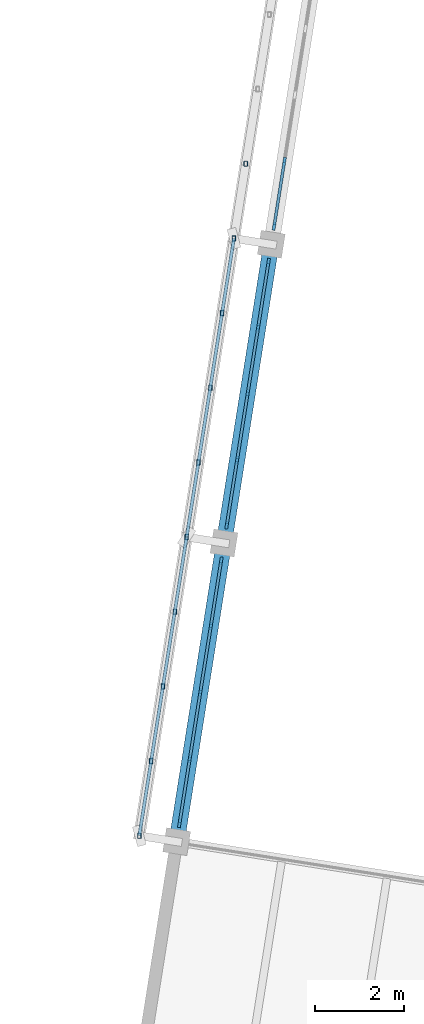
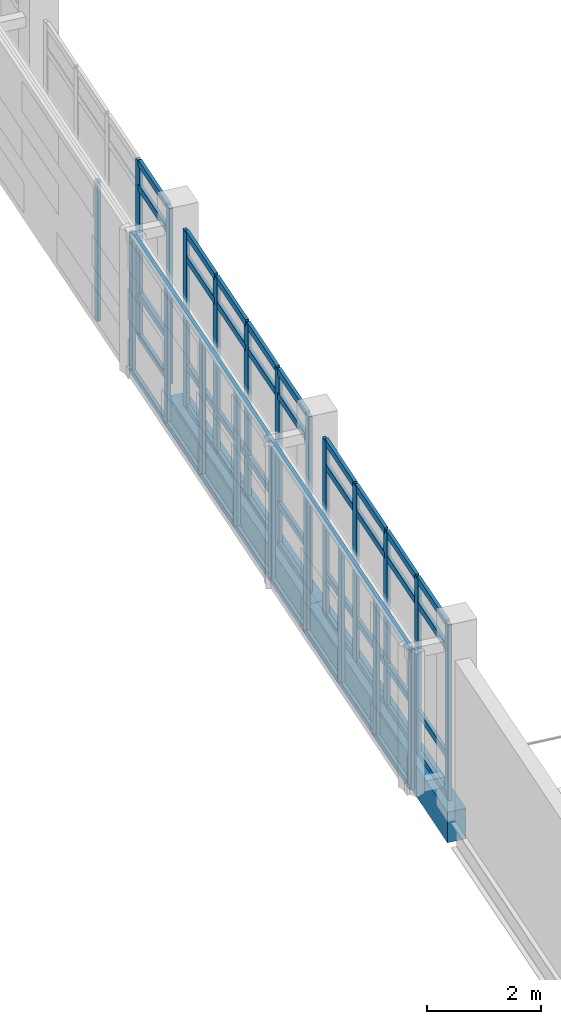
# One storey, part 38 of 137: 62 members, 2 beams, 3 elements without a shape of their own.
"""IFC4 building model written with IfcOpenShell, lengths in metres."""

from ifc_helpers import new_model, si_unit, direction, frame, origin, origin_2d, place, context, subcontext, project, spatial, rectangle, hollow_rectangle, extrude, material, material_profile, profile_set, type_object, element, aggregate, save


model = new_model("IFC4")

# Units and contexts
model_context = context("Model", 3, precision=1e-05, world=origin(), true_north=direction((0.0, 1.0)))
body_context = subcontext(model_context, "Body", "Model", "MODEL_VIEW")
ifc_project = project(units=[si_unit("LENGTHUNIT", "METRE"), si_unit("AREAUNIT", "SQUARE_METRE"), si_unit("VOLUMEUNIT", "CUBIC_METRE"), si_unit("PLANEANGLEUNIT", "RADIAN"), si_unit("MASSUNIT", "GRAM", prefix="KILO")], contexts=[model_context])

# Site, building, storey
site_placement = place(None, origin())
site = spatial("IfcSite", under=ifc_project, at=site_placement, CompositionType="ELEMENT")
building_placement = place(site_placement, origin())
building = spatial("IfcBuilding", under=site, at=building_placement, Name="Cinderway Yard Community Centre", CompositionType="ELEMENT")
storey_placement = place(building_placement, frame((0.0, 0.0, 4.800048828125)))
storey = spatial("IfcBuildingStorey", under=building, at=storey_placement, Name="L01", CompositionType="ELEMENT", Elevation=4.800048828125)

# Curtain wall, members
ifc_material_1 = material(Name="Aluminium 6063-T6", Category="aluminium")
curtain_wall_type = type_object("IfcCurtainWallType", Name="ENV-CW-TYPE-14", PredefinedType="USERDEFINED", material=ifc_material_1)
curtain_wall_1_placement = place(storey_placement, origin())
curtain_wall_1 = element("IfcCurtainWall", 1, at=curtain_wall_1_placement, inside=storey, type_object=curtain_wall_type, Name="Sports Hall Courtyard Curtain Wall ENV-CW-L01-HS-0051", ObjectType="GLAZED CURTAIN WALL", PredefinedType="USERDEFINED")
ifc_material_profile_1 = material_profile(ifc_material_1, rectangle(XDim=0.06494140625, YDim=0.179931640625, at=origin_2d()), Name="Aluminium 6063-T6")
ifc_profile_set_1 = profile_set([ifc_material_profile_1], Name="Aluminium 6063-T6")
member_type_1 = type_object("IfcMemberType", Name="ENV-CW-MULL-180", PredefinedType="MULLION", material=ifc_profile_set_1)
member_1_placement = place(storey_placement, frame((118.063720703125, 38.404541015625, 0.0), z_axis=(0.0, 0.0, 1.0), x_axis=(-0.987660740525, 0.156608625643, 0.0)))
member_1 = element("IfcMember", 2, at=member_1_placement, type_object=member_type_1, Name="CW-14 mullion 1", PredefinedType="MULLION", context=body_context, shape_type="SweptSolid", body=[
    extrude(rectangle(XDim=0.06494140625, YDim=0.179931640625, at=origin_2d()), origin(), (0.0, 0.0, 1.0), 3.75),
])
member_2_placement = place(storey_placement, frame((118.29541015625, 39.866455078125, 0.0), z_axis=(0.0, 0.0, 1.0), x_axis=(-0.987660740525, 0.156608625643, 0.0)))
member_2 = element("IfcMember", 3, at=member_2_placement, type_object=member_type_1, Name="CW-14 mullion 2", PredefinedType="MULLION", context=body_context, shape_type="SweptSolid", body=[
    extrude(rectangle(XDim=0.06494140625, YDim=0.179931640625, at=origin_2d()), origin(), (0.0, 0.0, 1.0), 3.75),
])
member_3_placement = place(storey_placement, frame((118.531982421875, 41.35791015625, 0.0), z_axis=(0.0, 0.0, 1.0), x_axis=(-0.987660740525, 0.156608625643, 0.0)))
member_3 = element("IfcMember", 4, at=member_3_placement, type_object=member_type_1, Name="CW-14 mullion 3", PredefinedType="MULLION", context=body_context, shape_type="SweptSolid", body=[
    extrude(rectangle(XDim=0.06494140625, YDim=0.179931640625, at=origin_2d()), origin(), (0.0, 0.0, 1.0), 3.75),
])
member_4_placement = place(storey_placement, frame((118.7685546875, 42.849609375, 0.0), z_axis=(0.0, 0.0, 1.0), x_axis=(-0.987660740525, 0.156608625643, 0.0)))
member_4 = element("IfcMember", 5, at=member_4_placement, type_object=member_type_1, Name="CW-14 mullion 4", PredefinedType="MULLION", context=body_context, shape_type="SweptSolid", body=[
    extrude(rectangle(XDim=0.06494140625, YDim=0.179931640625, at=origin_2d()), origin(), (0.0, 0.0, 1.0), 3.75),
])
member_5_placement = place(storey_placement, frame((119.000244140625, 44.311279296875, 0.0), z_axis=(0.0, 0.0, 1.0), x_axis=(-0.987660740525, 0.156608625643, 0.0)))
member_5 = element("IfcMember", 6, at=member_5_placement, type_object=member_type_1, Name="CW-14 mullion 5", PredefinedType="MULLION", context=body_context, shape_type="SweptSolid", body=[
    extrude(rectangle(XDim=0.06494140625, YDim=0.179931640625, at=origin_2d()), origin(), (0.0, 0.0, 1.0), 3.75),
])

curtain_wall_2_placement = place(storey_placement, origin())
curtain_wall_2 = element("IfcCurtainWall", 7, at=curtain_wall_2_placement, inside=storey, type_object=curtain_wall_type, Name="Sports Hall Courtyard Curtain Wall ENV-CW-L01-HS-0052", ObjectType="GLAZED CURTAIN WALL", PredefinedType="USERDEFINED")
member_6_placement = place(storey_placement, frame((119.127685546875, 45.12060546875, 0.0), z_axis=(0.0, 0.0, 1.0), x_axis=(-0.987664799809, 0.156583023401, 0.0)))
member_6 = element("IfcMember", 8, at=member_6_placement, type_object=member_type_1, Name="CW-14 mullion 1", PredefinedType="MULLION", context=body_context, shape_type="SweptSolid", body=[
    extrude(rectangle(XDim=0.06494140625, YDim=0.179931640625, at=origin_2d()), origin(), (0.0, 0.0, 1.0), 3.75),
])
member_7_placement = place(storey_placement, frame((119.359619140625, 46.582763671875, 0.0), z_axis=(0.0, 0.0, 1.0), x_axis=(-0.987664799809, 0.156583023401, 0.0)))
member_7 = element("IfcMember", 9, at=member_7_placement, type_object=member_type_1, Name="CW-14 mullion 2", PredefinedType="MULLION", context=body_context, shape_type="SweptSolid", body=[
    extrude(rectangle(XDim=0.06494140625, YDim=0.179931640625, at=origin_2d()), origin(), (0.0, 0.0, 1.0), 3.75),
])
member_8_placement = place(storey_placement, frame((119.595947265625, 48.074462890625, 0.0), z_axis=(0.0, 0.0, 1.0), x_axis=(-0.987664799809, 0.156583023401, 0.0)))
member_8 = element("IfcMember", 10, at=member_8_placement, type_object=member_type_1, Name="CW-14 mullion 3", PredefinedType="MULLION", context=body_context, shape_type="SweptSolid", body=[
    extrude(rectangle(XDim=0.06494140625, YDim=0.179931640625, at=origin_2d()), origin(), (0.0, 0.0, 1.0), 3.75),
])
member_9_placement = place(storey_placement, frame((119.83251953125, 49.566162109375, 0.0), z_axis=(0.0, 0.0, 1.0), x_axis=(-0.987664799809, 0.156583023401, 0.0)))
member_9 = element("IfcMember", 11, at=member_9_placement, type_object=member_type_1, Name="CW-14 mullion 4", PredefinedType="MULLION", context=body_context, shape_type="SweptSolid", body=[
    extrude(rectangle(XDim=0.06494140625, YDim=0.179931640625, at=origin_2d()), origin(), (0.0, 0.0, 1.0), 3.75),
])
member_10_placement = place(storey_placement, frame((120.064208984375, 51.0283203125, 0.0), z_axis=(0.0, 0.0, 1.0), x_axis=(-0.987664799809, 0.156583023401, 0.0)))
member_10 = element("IfcMember", 12, at=member_10_placement, type_object=member_type_1, Name="CW-14 mullion 5", PredefinedType="MULLION", context=body_context, shape_type="SweptSolid", body=[
    extrude(rectangle(XDim=0.06494140625, YDim=0.179931640625, at=origin_2d()), origin(), (0.0, 0.0, 1.0), 3.75),
])

curtain_wall_3_placement = place(storey_placement, origin())
curtain_wall_3 = element("IfcCurtainWall", 13, at=curtain_wall_3_placement, inside=storey, type_object=curtain_wall_type, Name="Sports Hall Courtyard Curtain Wall ENV-CW-L01-HS-0053", ObjectType="GLAZED CURTAIN WALL", PredefinedType="USERDEFINED")
member_11_placement = place(storey_placement, frame((120.191650390625, 51.837646484375, 0.0), z_axis=(0.0, 0.0, 1.0), x_axis=(-0.987686334358, 0.1564471314, 0.0)))
member_11 = element("IfcMember", 14, at=member_11_placement, type_object=member_type_1, Name="CW-14 mullion 1", PredefinedType="MULLION", context=body_context, shape_type="SweptSolid", body=[
    extrude(rectangle(XDim=0.06494140625, YDim=0.179931640625, at=origin_2d()), origin(), (0.0, 0.0, 1.0), 3.75),
])
member_12_placement = place(storey_placement, frame((120.42333984375, 53.299560546875, 0.0), z_axis=(0.0, 0.0, 1.0), x_axis=(-0.987686334358, 0.1564471314, 0.0)))
member_12 = element("IfcMember", 15, at=member_12_placement, type_object=member_type_1, Name="CW-14 mullion 2", PredefinedType="MULLION", context=body_context, shape_type="SweptSolid", body=[
    extrude(rectangle(XDim=0.06494140625, YDim=0.179931640625, at=origin_2d()), origin(), (0.0, 0.0, 1.0), 3.75),
])

# Member
ifc_material_profile_2 = material_profile(ifc_material_1, rectangle(XDim=0.06494140625, YDim=0.139892578125, at=origin_2d()), Name="Aluminium 6063-T6")
ifc_profile_set_2 = profile_set([ifc_material_profile_2], Name="Aluminium 6063-T6")
member_type_2 = type_object("IfcMemberType", Name="ENV-CW-TRAN-140", PredefinedType="USERDEFINED", material=ifc_profile_set_2)
member_13_placement = place(storey_placement, frame((118.068359375, 38.434326171875, 0.030029296875), z_axis=(0.156615821604, 0.987659599469, 0.0), x_axis=(-0.987659599469, 0.156615821604, 0.0)))
member_13 = element("IfcMember", 16, at=member_13_placement, type_object=member_type_2, Name="CW-14 transom 1.1", ObjectType="TRANSOM", PredefinedType="USERDEFINED", context=body_context, shape_type="SweptSolid", body=[
    extrude(rectangle(XDim=0.06494140625, YDim=0.139892578125, at=origin_2d()), origin(), (0.0, 0.0, 1.0), 1.420166015625),
])

member_14_placement = place(storey_placement, frame((118.068359375, 38.434326171875, 0.89990234375), z_axis=(0.156615821604, 0.987659599469, 0.0), x_axis=(-0.987659599469, 0.156615821604, 0.0)))
member_14 = element("IfcMember", 17, at=member_14_placement, type_object=member_type_2, Name="CW-14 transom 1.2", ObjectType="TRANSOM", PredefinedType="USERDEFINED", context=body_context, shape_type="SweptSolid", body=[
    extrude(rectangle(XDim=0.06494140625, YDim=0.139892578125, at=origin_2d()), origin(), (0.0, 0.0, 1.0), 1.420166015625),
])

member_15_placement = place(storey_placement, frame((118.068359375, 38.434326171875, 3.199951171875), z_axis=(0.156615821604, 0.987659599469, 0.0), x_axis=(-0.987659599469, 0.156615821604, 0.0)))
member_15 = element("IfcMember", 18, at=member_15_placement, type_object=member_type_2, Name="CW-14 transom 1.3", ObjectType="TRANSOM", PredefinedType="USERDEFINED", context=body_context, shape_type="SweptSolid", body=[
    extrude(rectangle(XDim=0.06494140625, YDim=0.139892578125, at=origin_2d()), origin(), (0.0, 0.0, 1.0), 1.420166015625),
])

member_16_placement = place(storey_placement, frame((118.068359375, 38.434326171875, 3.719970703125), z_axis=(0.156615821604, 0.987659599469, 0.0), x_axis=(-0.987659599469, 0.156615821604, 0.0)))
member_16 = element("IfcMember", 19, at=member_16_placement, type_object=member_type_2, Name="CW-14 transom 1.4", ObjectType="TRANSOM", PredefinedType="USERDEFINED", context=body_context, shape_type="SweptSolid", body=[
    extrude(rectangle(XDim=0.06494140625, YDim=0.139892578125, at=origin_2d()), origin(), (0.0, 0.0, 1.0), 1.420166015625),
])

member_17_placement = place(storey_placement, frame((118.30029296875, 39.896240234375, 0.030029296875), z_axis=(0.156585060263, 0.987664476886, 0.0), x_axis=(-0.987664476886, 0.156585060263, 0.0)))
member_17 = element("IfcMember", 20, at=member_17_placement, type_object=member_type_2, Name="CW-14 transom 2.1", ObjectType="TRANSOM", PredefinedType="USERDEFINED", context=body_context, shape_type="SweptSolid", body=[
    extrude(rectangle(XDim=0.06494140625, YDim=0.139892578125, at=origin_2d()), origin(), (0.0, 0.0, 1.0), 1.449951171875),
])

member_18_placement = place(storey_placement, frame((118.30029296875, 39.896240234375, 0.89990234375), z_axis=(0.156585060263, 0.987664476886, 0.0), x_axis=(-0.987664476886, 0.156585060263, 0.0)))
member_18 = element("IfcMember", 21, at=member_18_placement, type_object=member_type_2, Name="CW-14 transom 2.2", ObjectType="TRANSOM", PredefinedType="USERDEFINED", context=body_context, shape_type="SweptSolid", body=[
    extrude(rectangle(XDim=0.06494140625, YDim=0.139892578125, at=origin_2d()), origin(), (0.0, 0.0, 1.0), 1.449951171875),
])

member_19_placement = place(storey_placement, frame((118.30029296875, 39.896240234375, 3.199951171875), z_axis=(0.156585060263, 0.987664476886, 0.0), x_axis=(-0.987664476886, 0.156585060263, 0.0)))
member_19 = element("IfcMember", 22, at=member_19_placement, type_object=member_type_2, Name="CW-14 transom 2.3", ObjectType="TRANSOM", PredefinedType="USERDEFINED", context=body_context, shape_type="SweptSolid", body=[
    extrude(rectangle(XDim=0.06494140625, YDim=0.139892578125, at=origin_2d()), origin(), (0.0, 0.0, 1.0), 1.449951171875),
])

member_20_placement = place(storey_placement, frame((118.30029296875, 39.896240234375, 3.719970703125), z_axis=(0.156585060263, 0.987664476886, 0.0), x_axis=(-0.987664476886, 0.156585060263, 0.0)))
member_20 = element("IfcMember", 23, at=member_20_placement, type_object=member_type_2, Name="CW-14 transom 2.4", ObjectType="TRANSOM", PredefinedType="USERDEFINED", context=body_context, shape_type="SweptSolid", body=[
    extrude(rectangle(XDim=0.06494140625, YDim=0.139892578125, at=origin_2d()), origin(), (0.0, 0.0, 1.0), 1.449951171875),
])

member_21_placement = place(storey_placement, frame((118.53662109375, 41.3876953125, 0.030029296875), z_axis=(0.156749296529, 0.987638424747, 0.0), x_axis=(-0.987638424747, 0.156749296529, 0.0)))
member_21 = element("IfcMember", 24, at=member_21_placement, type_object=member_type_2, Name="CW-14 transom 3.1", ObjectType="TRANSOM", PredefinedType="USERDEFINED", context=body_context, shape_type="SweptSolid", body=[
    extrude(rectangle(XDim=0.06494140625, YDim=0.139892578125, at=origin_2d()), origin(), (0.0, 0.0, 1.0), 1.449951171875),
])

member_22_placement = place(storey_placement, frame((118.53662109375, 41.3876953125, 0.89990234375), z_axis=(0.156749296529, 0.987638424747, 0.0), x_axis=(-0.987638424747, 0.156749296529, 0.0)))
member_22 = element("IfcMember", 25, at=member_22_placement, type_object=member_type_2, Name="CW-14 transom 3.2", ObjectType="TRANSOM", PredefinedType="USERDEFINED", context=body_context, shape_type="SweptSolid", body=[
    extrude(rectangle(XDim=0.06494140625, YDim=0.139892578125, at=origin_2d()), origin(), (0.0, 0.0, 1.0), 1.449951171875),
])

member_23_placement = place(storey_placement, frame((118.53662109375, 41.3876953125, 3.199951171875), z_axis=(0.156749296529, 0.987638424747, 0.0), x_axis=(-0.987638424747, 0.156749296529, 0.0)))
member_23 = element("IfcMember", 26, at=member_23_placement, type_object=member_type_2, Name="CW-14 transom 3.3", ObjectType="TRANSOM", PredefinedType="USERDEFINED", context=body_context, shape_type="SweptSolid", body=[
    extrude(rectangle(XDim=0.06494140625, YDim=0.139892578125, at=origin_2d()), origin(), (0.0, 0.0, 1.0), 1.449951171875),
])

member_24_placement = place(storey_placement, frame((118.53662109375, 41.3876953125, 3.719970703125), z_axis=(0.156749296529, 0.987638424747, 0.0), x_axis=(-0.987638424747, 0.156749296529, 0.0)))
member_24 = element("IfcMember", 27, at=member_24_placement, type_object=member_type_2, Name="CW-14 transom 3.4", ObjectType="TRANSOM", PredefinedType="USERDEFINED", context=body_context, shape_type="SweptSolid", body=[
    extrude(rectangle(XDim=0.06494140625, YDim=0.139892578125, at=origin_2d()), origin(), (0.0, 0.0, 1.0), 1.449951171875),
])

member_25_placement = place(storey_placement, frame((118.773193359375, 42.879150390625, 0.030029296875), z_axis=(0.156615821604, 0.987659599469, 0.0), x_axis=(-0.987659599469, 0.156615821604, 0.0)))
member_25 = element("IfcMember", 28, at=member_25_placement, type_object=member_type_2, Name="CW-14 transom 4.1", ObjectType="TRANSOM", PredefinedType="USERDEFINED", context=body_context, shape_type="SweptSolid", body=[
    extrude(rectangle(XDim=0.06494140625, YDim=0.139892578125, at=origin_2d()), origin(), (0.0, 0.0, 1.0), 1.420166015625),
])

member_26_placement = place(storey_placement, frame((118.773193359375, 42.879150390625, 0.89990234375), z_axis=(0.156615821604, 0.987659599469, 0.0), x_axis=(-0.987659599469, 0.156615821604, 0.0)))
member_26 = element("IfcMember", 29, at=member_26_placement, type_object=member_type_2, Name="CW-14 transom 4.2", ObjectType="TRANSOM", PredefinedType="USERDEFINED", context=body_context, shape_type="SweptSolid", body=[
    extrude(rectangle(XDim=0.06494140625, YDim=0.139892578125, at=origin_2d()), origin(), (0.0, 0.0, 1.0), 1.420166015625),
])

member_27_placement = place(storey_placement, frame((118.773193359375, 42.879150390625, 3.199951171875), z_axis=(0.156615821604, 0.987659599469, 0.0), x_axis=(-0.987659599469, 0.156615821604, 0.0)))
member_27 = element("IfcMember", 30, at=member_27_placement, type_object=member_type_2, Name="CW-14 transom 4.3", ObjectType="TRANSOM", PredefinedType="USERDEFINED", context=body_context, shape_type="SweptSolid", body=[
    extrude(rectangle(XDim=0.06494140625, YDim=0.139892578125, at=origin_2d()), origin(), (0.0, 0.0, 1.0), 1.420166015625),
])

member_28_placement = place(storey_placement, frame((118.773193359375, 42.879150390625, 3.719970703125), z_axis=(0.156615821604, 0.987659599469, 0.0), x_axis=(-0.987659599469, 0.156615821604, 0.0)))
member_28 = element("IfcMember", 31, at=member_28_placement, type_object=member_type_2, Name="CW-14 transom 4.4", ObjectType="TRANSOM", PredefinedType="USERDEFINED", context=body_context, shape_type="SweptSolid", body=[
    extrude(rectangle(XDim=0.06494140625, YDim=0.139892578125, at=origin_2d()), origin(), (0.0, 0.0, 1.0), 1.420166015625),
])

aggregate(curtain_wall_1, [member_1, member_2, member_3, member_4, member_5, member_13, member_14, member_15, member_16, member_17, member_18, member_19, member_20, member_21, member_22, member_23, member_24, member_25, member_26, member_27, member_28])

member_29_placement = place(storey_placement, frame((119.13232421875, 45.150146484375, 0.030029296875), z_axis=(0.156562654309, 0.987668028882, 0.0), x_axis=(-0.987668028882, 0.156562654309, 0.0)))
member_29 = element("IfcMember", 32, at=member_29_placement, type_object=member_type_2, Name="CW-14 transom 1.1", ObjectType="TRANSOM", PredefinedType="USERDEFINED", context=body_context, shape_type="SweptSolid", body=[
    extrude(rectangle(XDim=0.06494140625, YDim=0.139892578125, at=origin_2d()), origin(), (0.0, 0.0, 1.0), 1.420654296875),
])

member_30_placement = place(storey_placement, frame((119.13232421875, 45.150146484375, 0.89990234375), z_axis=(0.156562654309, 0.987668028882, 0.0), x_axis=(-0.987668028882, 0.156562654309, 0.0)))
member_30 = element("IfcMember", 33, at=member_30_placement, type_object=member_type_2, Name="CW-14 transom 1.2", ObjectType="TRANSOM", PredefinedType="USERDEFINED", context=body_context, shape_type="SweptSolid", body=[
    extrude(rectangle(XDim=0.06494140625, YDim=0.139892578125, at=origin_2d()), origin(), (0.0, 0.0, 1.0), 1.420654296875),
])

member_31_placement = place(storey_placement, frame((119.13232421875, 45.150146484375, 3.199951171875), z_axis=(0.156562654309, 0.987668028882, 0.0), x_axis=(-0.987668028882, 0.156562654309, 0.0)))
member_31 = element("IfcMember", 34, at=member_31_placement, type_object=member_type_2, Name="CW-14 transom 1.3", ObjectType="TRANSOM", PredefinedType="USERDEFINED", context=body_context, shape_type="SweptSolid", body=[
    extrude(rectangle(XDim=0.06494140625, YDim=0.139892578125, at=origin_2d()), origin(), (0.0, 0.0, 1.0), 1.420654296875),
])

member_32_placement = place(storey_placement, frame((119.13232421875, 45.150146484375, 3.719970703125), z_axis=(0.156562654309, 0.987668028882, 0.0), x_axis=(-0.987668028882, 0.156562654309, 0.0)))
member_32 = element("IfcMember", 35, at=member_32_placement, type_object=member_type_2, Name="CW-14 transom 1.4", ObjectType="TRANSOM", PredefinedType="USERDEFINED", context=body_context, shape_type="SweptSolid", body=[
    extrude(rectangle(XDim=0.06494140625, YDim=0.139892578125, at=origin_2d()), origin(), (0.0, 0.0, 1.0), 1.420654296875),
])

member_33_placement = place(storey_placement, frame((119.3642578125, 46.6123046875, 0.030029296875), z_axis=(0.156532999021, 0.987672729307, 0.0), x_axis=(-0.987672729307, 0.156532999021, 0.0)))
member_33 = element("IfcMember", 36, at=member_33_placement, type_object=member_type_2, Name="CW-14 transom 2.1", ObjectType="TRANSOM", PredefinedType="USERDEFINED", context=body_context, shape_type="SweptSolid", body=[
    extrude(rectangle(XDim=0.06494140625, YDim=0.139892578125, at=origin_2d()), origin(), (0.0, 0.0, 1.0), 1.450439453125),
])

member_34_placement = place(storey_placement, frame((119.3642578125, 46.6123046875, 0.89990234375), z_axis=(0.156532999021, 0.987672729307, 0.0), x_axis=(-0.987672729307, 0.156532999021, 0.0)))
member_34 = element("IfcMember", 37, at=member_34_placement, type_object=member_type_2, Name="CW-14 transom 2.2", ObjectType="TRANSOM", PredefinedType="USERDEFINED", context=body_context, shape_type="SweptSolid", body=[
    extrude(rectangle(XDim=0.06494140625, YDim=0.139892578125, at=origin_2d()), origin(), (0.0, 0.0, 1.0), 1.450439453125),
])

member_35_placement = place(storey_placement, frame((119.3642578125, 46.6123046875, 3.199951171875), z_axis=(0.156532999021, 0.987672729307, 0.0), x_axis=(-0.987672729307, 0.156532999021, 0.0)))
member_35 = element("IfcMember", 38, at=member_35_placement, type_object=member_type_2, Name="CW-14 transom 2.3", ObjectType="TRANSOM", PredefinedType="USERDEFINED", context=body_context, shape_type="SweptSolid", body=[
    extrude(rectangle(XDim=0.06494140625, YDim=0.139892578125, at=origin_2d()), origin(), (0.0, 0.0, 1.0), 1.450439453125),
])

member_36_placement = place(storey_placement, frame((119.3642578125, 46.6123046875, 3.719970703125), z_axis=(0.156532999021, 0.987672729307, 0.0), x_axis=(-0.987672729307, 0.156532999021, 0.0)))
member_36 = element("IfcMember", 39, at=member_36_placement, type_object=member_type_2, Name="CW-14 transom 2.4", ObjectType="TRANSOM", PredefinedType="USERDEFINED", context=body_context, shape_type="SweptSolid", body=[
    extrude(rectangle(XDim=0.06494140625, YDim=0.139892578125, at=origin_2d()), origin(), (0.0, 0.0, 1.0), 1.450439453125),
])

member_37_placement = place(storey_placement, frame((119.6005859375, 48.104248046875, 0.030029296875), z_axis=(0.156723235702, 0.987642560541, 0.0), x_axis=(-0.987642560541, 0.156723235702, 0.0)))
member_37 = element("IfcMember", 40, at=member_37_placement, type_object=member_type_2, Name="CW-14 transom 3.1", ObjectType="TRANSOM", PredefinedType="USERDEFINED", context=body_context, shape_type="SweptSolid", body=[
    extrude(rectangle(XDim=0.06494140625, YDim=0.139892578125, at=origin_2d()), origin(), (0.0, 0.0, 1.0), 1.4501953125),
])

member_38_placement = place(storey_placement, frame((119.6005859375, 48.104248046875, 0.89990234375), z_axis=(0.156723235702, 0.987642560541, 0.0), x_axis=(-0.987642560541, 0.156723235702, 0.0)))
member_38 = element("IfcMember", 41, at=member_38_placement, type_object=member_type_2, Name="CW-14 transom 3.2", ObjectType="TRANSOM", PredefinedType="USERDEFINED", context=body_context, shape_type="SweptSolid", body=[
    extrude(rectangle(XDim=0.06494140625, YDim=0.139892578125, at=origin_2d()), origin(), (0.0, 0.0, 1.0), 1.4501953125),
])

member_39_placement = place(storey_placement, frame((119.6005859375, 48.104248046875, 3.199951171875), z_axis=(0.156723235702, 0.987642560541, 0.0), x_axis=(-0.987642560541, 0.156723235702, 0.0)))
member_39 = element("IfcMember", 42, at=member_39_placement, type_object=member_type_2, Name="CW-14 transom 3.3", ObjectType="TRANSOM", PredefinedType="USERDEFINED", context=body_context, shape_type="SweptSolid", body=[
    extrude(rectangle(XDim=0.06494140625, YDim=0.139892578125, at=origin_2d()), origin(), (0.0, 0.0, 1.0), 1.4501953125),
])

member_40_placement = place(storey_placement, frame((119.6005859375, 48.104248046875, 3.719970703125), z_axis=(0.156723235702, 0.987642560541, 0.0), x_axis=(-0.987642560541, 0.156723235702, 0.0)))
member_40 = element("IfcMember", 43, at=member_40_placement, type_object=member_type_2, Name="CW-14 transom 3.4", ObjectType="TRANSOM", PredefinedType="USERDEFINED", context=body_context, shape_type="SweptSolid", body=[
    extrude(rectangle(XDim=0.06494140625, YDim=0.139892578125, at=origin_2d()), origin(), (0.0, 0.0, 1.0), 1.4501953125),
])

member_41_placement = place(storey_placement, frame((119.837158203125, 49.595947265625, 0.030029296875), z_axis=(0.1565892335, 0.987663815249, 0.0), x_axis=(-0.987663815249, 0.1565892335, 0.0)))
member_41 = element("IfcMember", 44, at=member_41_placement, type_object=member_type_2, Name="CW-14 transom 4.1", ObjectType="TRANSOM", PredefinedType="USERDEFINED", context=body_context, shape_type="SweptSolid", body=[
    extrude(rectangle(XDim=0.06494140625, YDim=0.139892578125, at=origin_2d()), origin(), (0.0, 0.0, 1.0), 1.42041015625),
])

member_42_placement = place(storey_placement, frame((119.837158203125, 49.595947265625, 0.89990234375), z_axis=(0.1565892335, 0.987663815249, 0.0), x_axis=(-0.987663815249, 0.1565892335, 0.0)))
member_42 = element("IfcMember", 45, at=member_42_placement, type_object=member_type_2, Name="CW-14 transom 4.2", ObjectType="TRANSOM", PredefinedType="USERDEFINED", context=body_context, shape_type="SweptSolid", body=[
    extrude(rectangle(XDim=0.06494140625, YDim=0.139892578125, at=origin_2d()), origin(), (0.0, 0.0, 1.0), 1.42041015625),
])

member_43_placement = place(storey_placement, frame((119.837158203125, 49.595947265625, 3.199951171875), z_axis=(0.1565892335, 0.987663815249, 0.0), x_axis=(-0.987663815249, 0.1565892335, 0.0)))
member_43 = element("IfcMember", 46, at=member_43_placement, type_object=member_type_2, Name="CW-14 transom 4.3", ObjectType="TRANSOM", PredefinedType="USERDEFINED", context=body_context, shape_type="SweptSolid", body=[
    extrude(rectangle(XDim=0.06494140625, YDim=0.139892578125, at=origin_2d()), origin(), (0.0, 0.0, 1.0), 1.42041015625),
])

member_44_placement = place(storey_placement, frame((119.837158203125, 49.595947265625, 3.719970703125), z_axis=(0.1565892335, 0.987663815249, 0.0), x_axis=(-0.987663815249, 0.1565892335, 0.0)))
member_44 = element("IfcMember", 47, at=member_44_placement, type_object=member_type_2, Name="CW-14 transom 4.4", ObjectType="TRANSOM", PredefinedType="USERDEFINED", context=body_context, shape_type="SweptSolid", body=[
    extrude(rectangle(XDim=0.06494140625, YDim=0.139892578125, at=origin_2d()), origin(), (0.0, 0.0, 1.0), 1.42041015625),
])

aggregate(curtain_wall_2, [member_6, member_7, member_8, member_9, member_10, member_29, member_30, member_31, member_32, member_33, member_34, member_35, member_36, member_37, member_38, member_39, member_40, member_41, member_42, member_43, member_44])

member_45_placement = place(storey_placement, frame((120.1962890625, 51.8671875, 0.030029296875), z_axis=(0.156448115308, 0.987686178508, 0.0), x_axis=(-0.987686178508, 0.156448115308, 0.0)))
member_45 = element("IfcMember", 48, at=member_45_placement, type_object=member_type_2, Name="CW-14 transom 1.1", ObjectType="TRANSOM", PredefinedType="USERDEFINED", context=body_context, shape_type="SweptSolid", body=[
    extrude(rectangle(XDim=0.06494140625, YDim=0.139892578125, at=origin_2d()), origin(), (0.0, 0.0, 1.0), 1.420166015625),
])

member_46_placement = place(storey_placement, frame((120.1962890625, 51.8671875, 0.89990234375), z_axis=(0.156448115308, 0.987686178508, 0.0), x_axis=(-0.987686178508, 0.156448115308, 0.0)))
member_46 = element("IfcMember", 49, at=member_46_placement, type_object=member_type_2, Name="CW-14 transom 1.2", ObjectType="TRANSOM", PredefinedType="USERDEFINED", context=body_context, shape_type="SweptSolid", body=[
    extrude(rectangle(XDim=0.06494140625, YDim=0.139892578125, at=origin_2d()), origin(), (0.0, 0.0, 1.0), 1.420166015625),
])

member_47_placement = place(storey_placement, frame((120.1962890625, 51.8671875, 3.199951171875), z_axis=(0.156448115308, 0.987686178508, 0.0), x_axis=(-0.987686178508, 0.156448115308, 0.0)))
member_47 = element("IfcMember", 50, at=member_47_placement, type_object=member_type_2, Name="CW-14 transom 1.3", ObjectType="TRANSOM", PredefinedType="USERDEFINED", context=body_context, shape_type="SweptSolid", body=[
    extrude(rectangle(XDim=0.06494140625, YDim=0.139892578125, at=origin_2d()), origin(), (0.0, 0.0, 1.0), 1.420166015625),
])

member_48_placement = place(storey_placement, frame((120.1962890625, 51.8671875, 3.719970703125), z_axis=(0.156448115308, 0.987686178508, 0.0), x_axis=(-0.987686178508, 0.156448115308, 0.0)))
member_48 = element("IfcMember", 51, at=member_48_placement, type_object=member_type_2, Name="CW-14 transom 1.4", ObjectType="TRANSOM", PredefinedType="USERDEFINED", context=body_context, shape_type="SweptSolid", body=[
    extrude(rectangle(XDim=0.06494140625, YDim=0.139892578125, at=origin_2d()), origin(), (0.0, 0.0, 1.0), 1.420166015625),
])

aggregate(curtain_wall_3, [member_11, member_12, member_45, member_46, member_47, member_48])

# Members
ifc_material_2 = material(Name="Steel S355", Category="steel")
ifc_material_profile_3 = material_profile(ifc_material_2, hollow_rectangle(XDim=0.080078125, YDim=0.1201171875, WallThickness=0.00634765625, InnerFilletRadius=0.00634765625, OuterFilletRadius=0.0126953125, at=origin_2d()), Name="Steel S355")
ifc_profile_set_3 = profile_set([ifc_material_profile_3], Name="Steel S355")
member_type_3 = type_object("IfcMemberType", Name="ENV-MEM-SCREEN-RAIL-120", PredefinedType="STRINGER", material=ifc_profile_set_3)
for number, where, z_axis, x_axis, name in (
    (52, (117.159912109375, 38.133056640625, 0.7099609375), (0.15650460011, 0.987677229739, 0.0), (-0.987677229739, 0.15650460011, 0.0), "Screen support rail 0968-BOT"),
    (53, (117.159912109375, 38.133056640625, 3.639892578125), (0.15650460011, 0.987677229739, 0.0), (-0.987677229739, 0.15650460011, 0.0), "Screen support rail 0969-TOP"),
):
    element("IfcMember", number, at=place(storey_placement, frame(where, z_axis=z_axis, x_axis=x_axis)), inside=storey, type_object=member_type_3, Name=name, PredefinedType="STRINGER", context=body_context, shape_type="SweptSolid", body=[
        extrude(hollow_rectangle(XDim=0.080078125, YDim=0.1201171875, WallThickness=0.00634765625, InnerFilletRadius=0.00634765625, OuterFilletRadius=0.0126953125, at=origin_2d()), origin(), (0.0, 0.0, 1.0), 6.7998046875),
    ])
for number, where, z_axis, x_axis, name in (
    (54, (117.159912109375, 38.133056640625, 0.68994140625), (0.0, 0.0, 1.0), (1.0, 0.0, 0.0), "Screen vertical mullion 0970"),
    (55, (117.426025390625, 39.81201171875, 0.68994140625), (0.0, 0.0, 1.0), (1.0, 0.0, 0.0), "Screen vertical mullion 0971"),
    (56, (117.69189453125, 41.490966796875, 0.68994140625), (0.0, 0.0, 1.0), (1.0, 0.0, 0.0), "Screen vertical mullion 0972"),
    (57, (117.9580078125, 43.169921875, 0.68994140625), (0.0, 0.0, 1.0), (1.0, 0.0, 0.0), "Screen vertical mullion 0973"),
    (58, (118.22412109375, 44.84912109375, 0.68994140625), (0.0, 0.0, 1.0), (1.0, 0.0, 0.0), "Screen vertical mullion 0974"),
):
    element("IfcMember", number, at=place(storey_placement, frame(where, z_axis=z_axis, x_axis=x_axis)), inside=storey, type_object=member_type_3, Name=name, PredefinedType="STRINGER", context=body_context, shape_type="SweptSolid", body=[
        extrude(hollow_rectangle(XDim=0.080078125, YDim=0.1201171875, WallThickness=0.00634765625, InnerFilletRadius=0.00634765625, OuterFilletRadius=0.0126953125, at=origin_2d()), origin(), (0.0, 0.0, 1.0), 2.969970703125),
    ])
for number, where, z_axis, x_axis, name in (
    (59, (118.22412109375, 44.84912109375, 0.7099609375), (0.15645293114, 0.987685415675, 0.0), (-0.987685415675, 0.15645293114, 0.0), "Screen support rail 0976-BOT"),
    (60, (118.22412109375, 44.84912109375, 3.639892578125), (0.15645293114, 0.987685415675, 0.0), (-0.987685415675, 0.15645293114, 0.0), "Screen support rail 0977-TOP"),
):
    element("IfcMember", number, at=place(storey_placement, frame(where, z_axis=z_axis, x_axis=x_axis)), inside=storey, type_object=member_type_3, Name=name, PredefinedType="STRINGER", context=body_context, shape_type="SweptSolid", body=[
        extrude(hollow_rectangle(XDim=0.080078125, YDim=0.1201171875, WallThickness=0.00634765625, InnerFilletRadius=0.00634765625, OuterFilletRadius=0.0126953125, at=origin_2d()), origin(), (0.0, 0.0, 1.0), 6.800537109375),
    ])
for number, where, z_axis, x_axis, name in (
    (61, (118.489990234375, 46.528076171875, 0.68994140625), (0.0, 0.0, 1.0), (1.0, 0.0, 0.0), "Screen vertical mullion 0978"),
    (62, (118.756103515625, 48.20703125, 0.68994140625), (0.0, 0.0, 1.0), (1.0, 0.0, 0.0), "Screen vertical mullion 0979"),
    (63, (119.02197265625, 49.886962890625, 0.68994140625), (0.0, 0.0, 1.0), (1.0, 0.0, 0.0), "Screen vertical mullion 0980"),
    (64, (119.2880859375, 51.56591796875, 0.68994140625), (0.0, 0.0, 1.0), (1.0, 0.0, 0.0), "Screen vertical mullion 0981"),
    (65, (119.553955078125, 53.2451171875, 0.68994140625), (0.0, 0.0, 1.0), (1.0, 0.0, 0.0), "Screen vertical mullion 0985"),
):
    element("IfcMember", number, at=place(storey_placement, frame(where, z_axis=z_axis, x_axis=x_axis)), inside=storey, type_object=member_type_3, Name=name, PredefinedType="STRINGER", context=body_context, shape_type="SweptSolid", body=[
        extrude(hollow_rectangle(XDim=0.080078125, YDim=0.1201171875, WallThickness=0.00634765625, InnerFilletRadius=0.00634765625, OuterFilletRadius=0.0126953125, at=origin_2d()), origin(), (0.0, 0.0, 1.0), 2.969970703125),
    ])

# Beams
ifc_material_3 = material(Name="Concrete C35/45", Category="concrete")
ifc_material_profile_4 = material_profile(ifc_material_3, rectangle(XDim=0.35009765625, YDim=0.64990234375, at=origin_2d()), Name="Concrete C35/45")
ifc_profile_set_4 = profile_set([ifc_material_profile_4], Name="Concrete C35/45")
beam_type = type_object("IfcBeamType", Name="STR-BM-RC350X650", PredefinedType="BEAM", material=ifc_profile_set_4)
beam_1_placement = place(storey_placement, frame((118.0, 38.0, -0.324951171875), z_axis=(0.156469575446, 0.987682779013, 0.0), x_axis=(-0.987682779013, 0.156469575446, 0.0)))
element("IfcBeam", 66, at=beam_1_placement, inside=storey, type_object=beam_type, Name="Sports Hall west ring beam STR-BM-L01-BG08-0098", PredefinedType="BEAM", context=body_context, shape_type="SweptSolid", body=[
    extrude(rectangle(XDim=0.35009765625, YDim=0.64990234375, at=origin_2d()), origin(), (0.0, 0.0, 1.0), 6.7998046875),
])
beam_2_placement = place(storey_placement, frame((119.06396484375, 44.716064453125, -0.324951171875), z_axis=(0.156447383815, 0.987686294376, 0.0), x_axis=(-0.987686294376, 0.156447383815, 0.0)))
element("IfcBeam", 67, at=beam_2_placement, inside=storey, type_object=beam_type, Name="Sports Hall west ring beam STR-BM-L01-BG08-0099", PredefinedType="BEAM", context=body_context, shape_type="SweptSolid", body=[
    extrude(rectangle(XDim=0.35009765625, YDim=0.64990234375, at=origin_2d()), origin(), (0.0, 0.0, 1.0), 6.80078125),
])

save(model, "model.ifc")
